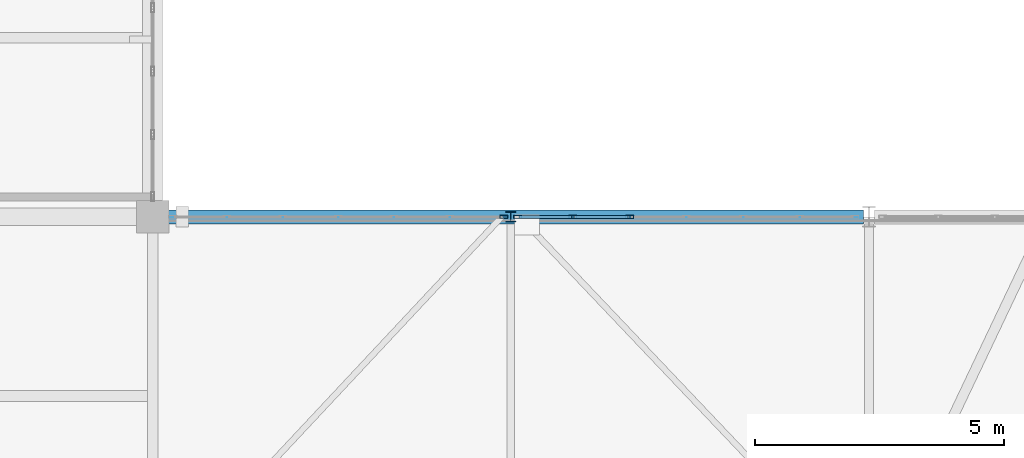
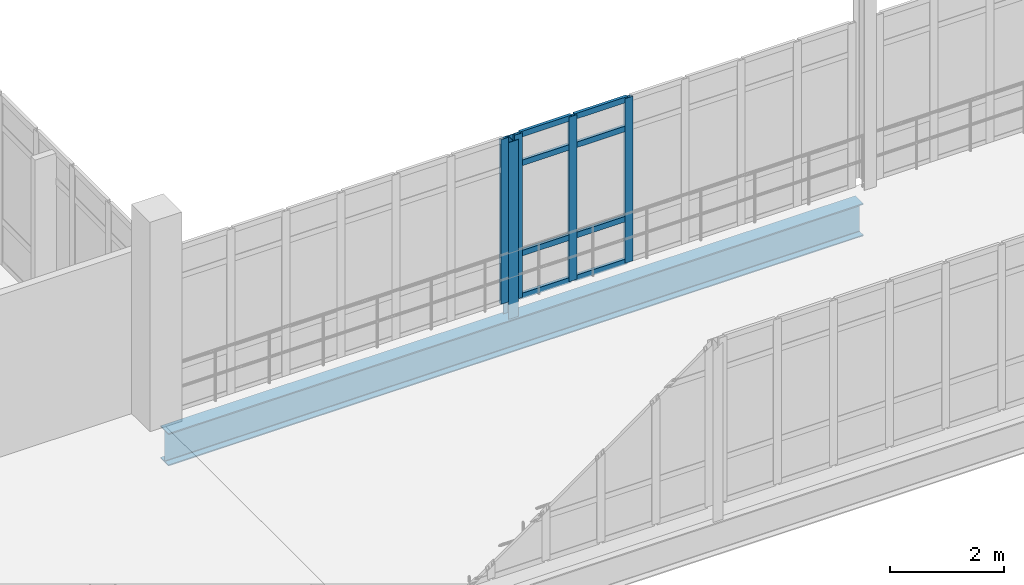
# One storey, part 18 of 116: 13 members, 1 beam, 2 elements without a shape of their own.
"""IFC4 building model written with IfcOpenShell, lengths in metres."""

from ifc_helpers import new_model, si_unit, direction, frame, origin, origin_2d, place, context, subcontext, project, spatial, hollow_rectangle, i_section, extrude, material, material_profile, profile_set, type_object, element, aggregate, save


model = new_model("IFC4")

# Units and contexts
model_context = context("Model", 3, precision=1e-05, world=origin(), true_north=direction((0.0, 1.0)))
body_context = subcontext(model_context, "Body", "Model", "MODEL_VIEW")
ifc_project = project(units=[si_unit("LENGTHUNIT", "METRE"), si_unit("AREAUNIT", "SQUARE_METRE"), si_unit("VOLUMEUNIT", "CUBIC_METRE"), si_unit("PLANEANGLEUNIT", "RADIAN"), si_unit("MASSUNIT", "GRAM", prefix="KILO")], contexts=[model_context])

# Site, building, storey
site_placement = place(None, origin())
site = spatial("IfcSite", under=ifc_project, at=site_placement, CompositionType="ELEMENT")
building_placement = place(site_placement, origin())
building = spatial("IfcBuilding", under=site, at=building_placement, Name="Kalluvel Institute of Natural Sciences", CompositionType="ELEMENT")
storey_placement = place(building_placement, frame((0.0, 0.0, 14.39990234375)))
storey = spatial("IfcBuildingStorey", under=building, at=storey_placement, Name="L03", CompositionType="ELEMENT", Elevation=14.39990234375)

# Beam
ifc_material_1 = material(Name="Steel E350 Grade 350", Category="steel")
ifc_material_profile_1 = material_profile(ifc_material_1, i_section(OverallWidth=0.280029296875, OverallDepth=0.699951171875, WebThickness=0.013916015625, FlangeThickness=0.02392578125, FilletRadius=0.01611328125, at=origin_2d()), Name="WPG 700x280")
ifc_profile_set_1 = profile_set([ifc_material_profile_1], Name="Steel E350 Grade 350")
beam_type = type_object("IfcBeamType", Name="BM-WPG700", PredefinedType="BEAM", material=ifc_profile_set_1)
beam_placement = place(storey_placement, frame((35.760009765625, 35.60009765625, -0.669921875), z_axis=(1.0, 0.0, 0.0), x_axis=(0.0, 1.0, 0.0)))
element("IfcBeam", 1, at=beam_placement, inside=storey, type_object=beam_type, Name="L03 link bridge main plate-girder chord 33", PredefinedType="BEAM", context=body_context, shape_type="SweptSolid", body=[
    extrude(i_section(OverallWidth=0.280029296875, OverallDepth=0.699951171875, WebThickness=0.013916015625, FlangeThickness=0.02392578125, FilletRadius=0.01611328125, at=origin_2d()), origin(), (0.0, 0.0, 1.0), 14.1298828125),
])

# Curtain wall, member
ifc_material_2 = material(Name="Aluminium AW-6063 T6", Category="aluminium")
curtain_wall_type = type_object("IfcCurtainWallType", Name="CW-BRG-45", PredefinedType="USERDEFINED", material=ifc_material_2)
curtain_wall_1_placement = place(storey_placement, origin())
curtain_wall_1 = element("IfcCurtainWall", 2, at=curtain_wall_1_placement, inside=storey, type_object=curtain_wall_type, Name="L03 Gothic lancet curtain wall CWA-L03-X360-Y356", ObjectType="UNITISED LANCET FACADE", PredefinedType="USERDEFINED")
ifc_material_profile_2 = material_profile(ifc_material_2, hollow_rectangle(XDim=0.06005859375, YDim=0.159912109375, WallThickness=0.00390625, at=origin_2d()), Name="CWM 60x160")
ifc_profile_set_2 = profile_set([ifc_material_profile_2], Name="Aluminium AW-6063 T6")
member_type_1 = type_object("IfcMemberType", Name="CWM-60x160", PredefinedType="MULLION", material=ifc_profile_set_2)
member_1_placement = place(storey_placement, frame((42.659912109375, 35.60009765625, 0.0), z_axis=(0.0, 0.0, 1.0), x_axis=(0.0, 1.0, 0.0)))
member_1 = element("IfcMember", 3, at=member_1_placement, type_object=member_type_1, Name="CW-07 mullion 7", PredefinedType="MULLION", context=body_context, shape_type="SweptSolid", body=[
    extrude(hollow_rectangle(XDim=0.06005859375, YDim=0.159912109375, WallThickness=0.00390625, at=origin_2d()), origin(), (0.0, 0.0, 1.0), 3.5400390625),
])
aggregate(curtain_wall_1, [member_1])

# Curtain wall, members
curtain_wall_2_placement = place(storey_placement, origin())
curtain_wall_2 = element("IfcCurtainWall", 4, at=curtain_wall_2_placement, inside=storey, type_object=curtain_wall_type, Name="L03 Gothic lancet curtain wall CWA-L03-X429-Y356", ObjectType="UNITISED LANCET FACADE", PredefinedType="USERDEFINED")
member_2_placement = place(storey_placement, frame((42.93994140625, 35.60009765625, 0.0), z_axis=(0.0, 0.0, 1.0), x_axis=(0.0, 1.0, 0.0)))
member_2 = element("IfcMember", 5, at=member_2_placement, type_object=member_type_1, Name="CW-07 mullion 1", PredefinedType="MULLION", context=body_context, shape_type="SweptSolid", body=[
    extrude(hollow_rectangle(XDim=0.06005859375, YDim=0.159912109375, WallThickness=0.00390625, at=origin_2d()), origin(), (0.0, 0.0, 1.0), 3.5400390625),
])
member_3_placement = place(storey_placement, frame((44.050048828125, 35.60009765625, 0.0), z_axis=(0.0, 0.0, 1.0), x_axis=(0.0, 1.0, 0.0)))
member_3 = element("IfcMember", 6, at=member_3_placement, type_object=member_type_1, Name="CW-07 mullion 2", PredefinedType="MULLION", context=body_context, shape_type="SweptSolid", body=[
    extrude(hollow_rectangle(XDim=0.06005859375, YDim=0.159912109375, WallThickness=0.00390625, at=origin_2d()), origin(), (0.0, 0.0, 1.0), 3.5400390625),
])
member_4_placement = place(storey_placement, frame((45.18994140625, 35.60009765625, 0.0), z_axis=(0.0, 0.0, 1.0), x_axis=(0.0, 1.0, 0.0)))
member_4 = element("IfcMember", 7, at=member_4_placement, type_object=member_type_1, Name="CW-07 mullion 3", PredefinedType="MULLION", context=body_context, shape_type="SweptSolid", body=[
    extrude(hollow_rectangle(XDim=0.06005859375, YDim=0.159912109375, WallThickness=0.00390625, at=origin_2d()), origin(), (0.0, 0.0, 1.0), 3.5400390625),
])
ifc_material_profile_3 = material_profile(ifc_material_2, hollow_rectangle(XDim=0.06005859375, YDim=0.1201171875, WallThickness=0.00390625, at=origin_2d()), Name="CWT 60x120")
ifc_profile_set_3 = profile_set([ifc_material_profile_3], Name="Aluminium AW-6063 T6")
member_type_2 = type_object("IfcMemberType", Name="CWT-60x120", PredefinedType="USERDEFINED", material=ifc_profile_set_3)
member_5_placement = place(storey_placement, frame((42.969970703125, 35.60009765625, 0.030029296875), z_axis=(1.0, 0.0, 0.0), x_axis=(0.0, 1.0, 0.0)))
member_5 = element("IfcMember", 8, at=member_5_placement, type_object=member_type_2, Name="CW-07 transom 1.1", ObjectType="TRANSOM", PredefinedType="USERDEFINED", context=body_context, shape_type="SweptSolid", body=[
    extrude(hollow_rectangle(XDim=0.06005859375, YDim=0.1201171875, WallThickness=0.00390625, at=origin_2d()), origin(), (0.0, 0.0, 1.0), 1.050048828125),
])
member_6_placement = place(storey_placement, frame((42.969970703125, 35.60009765625, 0.9501953125), z_axis=(1.0, 0.0, 0.0), x_axis=(0.0, 1.0, 0.0)))
member_6 = element("IfcMember", 9, at=member_6_placement, type_object=member_type_2, Name="CW-07 transom 1.2", ObjectType="TRANSOM", PredefinedType="USERDEFINED", context=body_context, shape_type="SweptSolid", body=[
    extrude(hollow_rectangle(XDim=0.06005859375, YDim=0.1201171875, WallThickness=0.00390625, at=origin_2d()), origin(), (0.0, 0.0, 1.0), 1.050048828125),
])
member_7_placement = place(storey_placement, frame((42.969970703125, 35.60009765625, 2.89013671875), z_axis=(1.0, 0.0, 0.0), x_axis=(0.0, 1.0, 0.0)))
member_7 = element("IfcMember", 10, at=member_7_placement, type_object=member_type_2, Name="CW-07 transom 1.3", ObjectType="TRANSOM", PredefinedType="USERDEFINED", context=body_context, shape_type="SweptSolid", body=[
    extrude(hollow_rectangle(XDim=0.06005859375, YDim=0.1201171875, WallThickness=0.00390625, at=origin_2d()), origin(), (0.0, 0.0, 1.0), 1.050048828125),
])
member_8_placement = place(storey_placement, frame((42.969970703125, 35.60009765625, 3.510009765625), z_axis=(1.0, 0.0, 0.0), x_axis=(0.0, 1.0, 0.0)))
member_8 = element("IfcMember", 11, at=member_8_placement, type_object=member_type_2, Name="CW-07 transom 1.4", ObjectType="TRANSOM", PredefinedType="USERDEFINED", context=body_context, shape_type="SweptSolid", body=[
    extrude(hollow_rectangle(XDim=0.06005859375, YDim=0.1201171875, WallThickness=0.00390625, at=origin_2d()), origin(), (0.0, 0.0, 1.0), 1.050048828125),
])
member_9_placement = place(storey_placement, frame((44.080078125, 35.60009765625, 0.030029296875), z_axis=(1.0, 0.0, 0.0), x_axis=(0.0, 1.0, 0.0)))
member_9 = element("IfcMember", 12, at=member_9_placement, type_object=member_type_2, Name="CW-07 transom 2.1", ObjectType="TRANSOM", PredefinedType="USERDEFINED", context=body_context, shape_type="SweptSolid", body=[
    extrude(hollow_rectangle(XDim=0.06005859375, YDim=0.1201171875, WallThickness=0.00390625, at=origin_2d()), origin(), (0.0, 0.0, 1.0), 1.079833984375),
])
member_10_placement = place(storey_placement, frame((44.080078125, 35.60009765625, 0.9501953125), z_axis=(1.0, 0.0, 0.0), x_axis=(0.0, 1.0, 0.0)))
member_10 = element("IfcMember", 13, at=member_10_placement, type_object=member_type_2, Name="CW-07 transom 2.2", ObjectType="TRANSOM", PredefinedType="USERDEFINED", context=body_context, shape_type="SweptSolid", body=[
    extrude(hollow_rectangle(XDim=0.06005859375, YDim=0.1201171875, WallThickness=0.00390625, at=origin_2d()), origin(), (0.0, 0.0, 1.0), 1.079833984375),
])
member_11_placement = place(storey_placement, frame((44.080078125, 35.60009765625, 2.89013671875), z_axis=(1.0, 0.0, 0.0), x_axis=(0.0, 1.0, 0.0)))
member_11 = element("IfcMember", 14, at=member_11_placement, type_object=member_type_2, Name="CW-07 transom 2.3", ObjectType="TRANSOM", PredefinedType="USERDEFINED", context=body_context, shape_type="SweptSolid", body=[
    extrude(hollow_rectangle(XDim=0.06005859375, YDim=0.1201171875, WallThickness=0.00390625, at=origin_2d()), origin(), (0.0, 0.0, 1.0), 1.079833984375),
])
member_12_placement = place(storey_placement, frame((44.080078125, 35.60009765625, 3.510009765625), z_axis=(1.0, 0.0, 0.0), x_axis=(0.0, 1.0, 0.0)))
member_12 = element("IfcMember", 15, at=member_12_placement, type_object=member_type_2, Name="CW-07 transom 2.4", ObjectType="TRANSOM", PredefinedType="USERDEFINED", context=body_context, shape_type="SweptSolid", body=[
    extrude(hollow_rectangle(XDim=0.06005859375, YDim=0.1201171875, WallThickness=0.00390625, at=origin_2d()), origin(), (0.0, 0.0, 1.0), 1.079833984375),
])
aggregate(curtain_wall_2, [member_2, member_3, member_4, member_5, member_6, member_7, member_8, member_9, member_10, member_11, member_12])

# Member
ifc_material_profile_4 = material_profile(ifc_material_1, i_section(OverallWidth=0.199951171875, OverallDepth=0.199951171875, WebThickness=0.0078125, FlangeThickness=0.009033203125, FilletRadius=0.009033203125, at=origin_2d()), Name="ISHB 200")
ifc_profile_set_4 = profile_set([ifc_material_profile_4], Name="Steel E350 Grade 350")
member_type_3 = type_object("IfcMemberType", Name="MB-ST-ISHB200", PredefinedType="STRUT", material=ifc_profile_set_4)
member_13_placement = place(storey_placement, frame((42.800048828125, 35.60009765625, -0.31982421875), z_axis=(0.0, 0.0, 1.0), x_axis=(1.0, 0.0, 0.0)))
element("IfcMember", 16, at=member_13_placement, inside=storey, type_object=member_type_3, Name="Glazed link bridge truss post 47", PredefinedType="STRUT", context=body_context, shape_type="SweptSolid", body=[
    extrude(i_section(OverallWidth=0.199951171875, OverallDepth=0.199951171875, WebThickness=0.0078125, FlangeThickness=0.009033203125, FilletRadius=0.009033203125, at=origin_2d()), origin(), (0.0, 0.0, 1.0), 3.7998046875),
])

save(model, "model.ifc")
